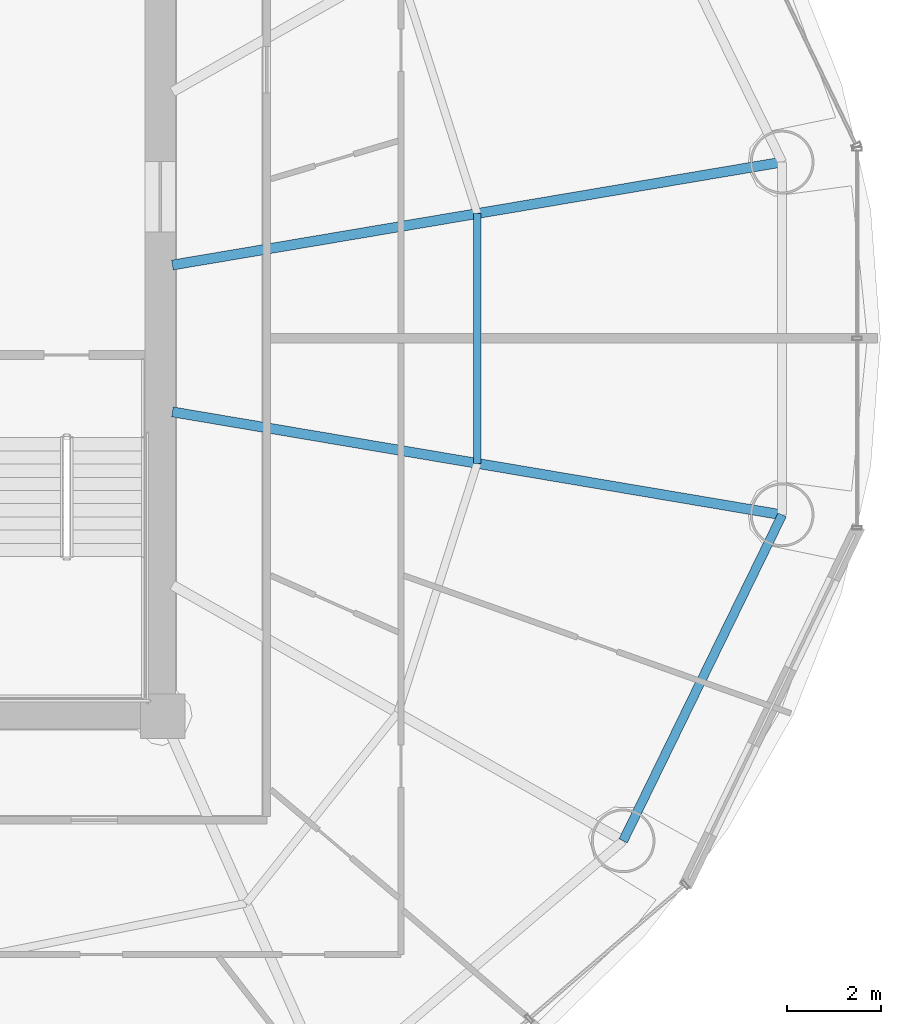
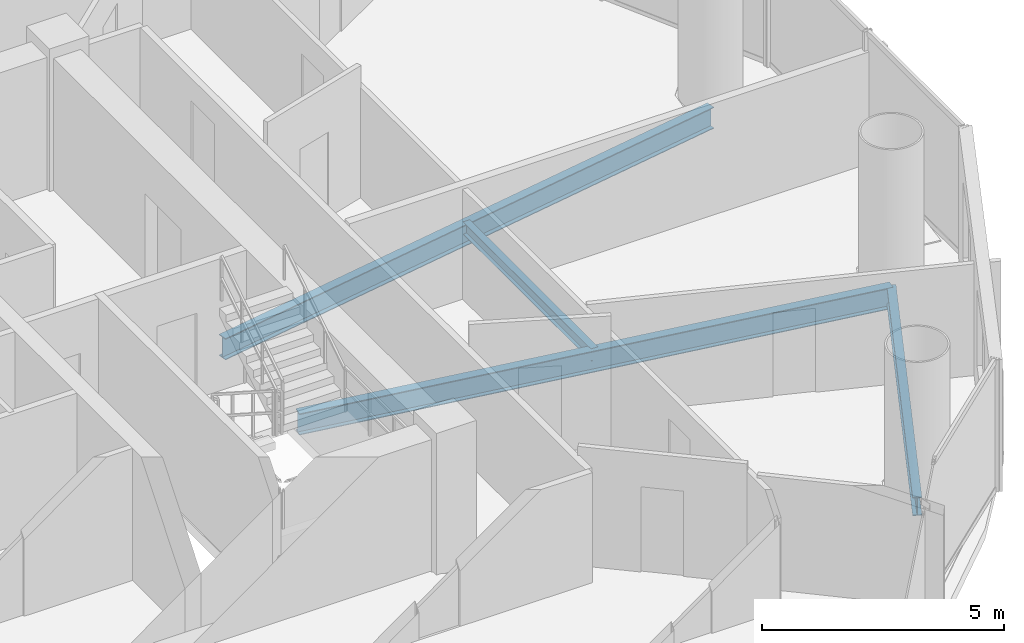
# One storey, part 11 of 27: 4 beams.
"""IFC4 building model written with IfcOpenShell, lengths in metres."""

from ifc_helpers import new_model, si_unit, direction, frame, origin, origin_2d, place, context, subcontext, project, spatial, i_section, extrude, material, material_profile, profile_set, type_object, element, save


model = new_model("IFC4")

# Units and contexts
model_context = context("Model", 3, precision=1e-05, world=origin(), true_north=direction((-0.2419218956, 0.970295726276)))
body_context = subcontext(model_context, "Body", "Model", "MODEL_VIEW")
ifc_project = project(units=[si_unit("LENGTHUNIT", "METRE"), si_unit("AREAUNIT", "SQUARE_METRE"), si_unit("VOLUMEUNIT", "CUBIC_METRE"), si_unit("PLANEANGLEUNIT", "RADIAN"), si_unit("MASSUNIT", "GRAM", prefix="KILO")], contexts=[model_context])

# Site, building, storey
site_placement = place(None, origin())
site = spatial("IfcSite", under=ifc_project, at=site_placement, CompositionType="ELEMENT")
building_placement = place(site_placement, origin())
building = spatial("IfcBuilding", under=site, at=building_placement, Name="Cobrevalo Terracotta Tower", CompositionType="ELEMENT")
storey_placement = place(building_placement, frame((0.0, 0.0, 160.60009765625)))
storey = spatial("IfcBuildingStorey", under=building, at=storey_placement, Name="L42", CompositionType="ELEMENT", Elevation=160.60009765625)

# Beams
ifc_material = material(Name="Steel S355", Category="steel")
ifc_material_profile_1 = material_profile(ifc_material, i_section(OverallWidth=0.2109375, OverallDepth=0.5390625, WebThickness=0.01171875, FlangeThickness=0.018798828125, at=origin_2d()), Name="W 530x109")
ifc_profile_set_1 = profile_set([ifc_material_profile_1], Name="Steel S355")
beam_type_1 = type_object("IfcBeamType", Name="Structural Beam W 530x109 (Steel S355)", PredefinedType="BEAM", material=ifc_profile_set_1)
for number, where, z_axis, x_axis, name in (
    (1, (60.11669921875, 30.535888671875, -0.53955078125), (-0.986032794282, -0.166551279191, 0.0), (0.166551279191, -0.986032794282, 0.0), "L42 radial floor girder 01"),
    (2, (60.11669921875, 23.06396484375, -0.53955078125), (-0.986029732232, 0.166569406417, 0.0), (-0.166569406417, -0.986029732232, 0.0), "L42 radial floor girder 16"),
):
    element("IfcBeam", number, at=place(storey_placement, frame(where, z_axis=z_axis, x_axis=x_axis)), inside=storey, type_object=beam_type_1, Name=name, PredefinedType="BEAM", context=body_context, shape_type="SweptSolid", body=[
        extrude(i_section(OverallWidth=0.2109375, OverallDepth=0.5390625, WebThickness=0.01171875, FlangeThickness=0.018798828125, at=origin_2d()), origin(), (0.0, 0.0, 1.0), 13.094482421875),
    ])
ifc_material_profile_2 = material_profile(ifc_material, i_section(OverallWidth=0.1650390625, OverallDepth=0.31005859375, WebThickness=0.005859375, FlangeThickness=0.009765625, at=origin_2d()), Name="W 310x38.7")
ifc_profile_set_2 = profile_set([ifc_material_profile_2], Name="Steel S355")
beam_type_2 = type_object("IfcBeamType", Name="Structural Joist W 310x38.7 (Steel S355)", PredefinedType="JOIST", material=ifc_profile_set_2)
beam_1_placement = place(storey_placement, frame((53.660888671875, 24.154541015625, -0.425048828125), z_axis=(0.0, 1.0, 0.0), x_axis=(-1.0, 0.0, 0.0)))
element("IfcBeam", 3, at=beam_1_placement, inside=storey, type_object=beam_type_2, Name="L42 circumferential secondary floor joist 16", PredefinedType="JOIST", context=body_context, shape_type="SweptSolid", body=[
    extrude(i_section(OverallWidth=0.1650390625, OverallDepth=0.31005859375, WebThickness=0.005859375, FlangeThickness=0.009765625, at=origin_2d()), origin(), (0.0, 0.0, 1.0), 5.291015625),
])
ifc_material_profile_3 = material_profile(ifc_material, i_section(OverallWidth=0.194091796875, OverallDepth=0.468994140625, WebThickness=0.011474609375, FlangeThickness=0.0205078125, at=origin_2d()), Name="W 460x106")
ifc_profile_set_3 = profile_set([ifc_material_profile_3], Name="Steel S355")
beam_type_3 = type_object("IfcBeamType", Name="Structural Spandrel W 460x106 (Steel S355)", PredefinedType="SPANDREL", material=ifc_profile_set_3)
beam_2_placement = place(storey_placement, frame((56.749755859375, 16.160888671875, -0.504638671875), z_axis=(0.438380418332, 0.898789524206, 0.0), x_axis=(-0.898789524206, 0.438380418332, 0.0)))
element("IfcBeam", 4, at=beam_2_placement, inside=storey, type_object=beam_type_3, Name="L42 perimeter ring spandrel 15", PredefinedType="SPANDREL", context=body_context, shape_type="SweptSolid", body=[
    extrude(i_section(OverallWidth=0.194091796875, OverallDepth=0.468994140625, WebThickness=0.011474609375, FlangeThickness=0.0205078125, at=origin_2d()), origin(), (0.0, 0.0, 1.0), 7.680419921875),
])

save(model, "model.ifc")
